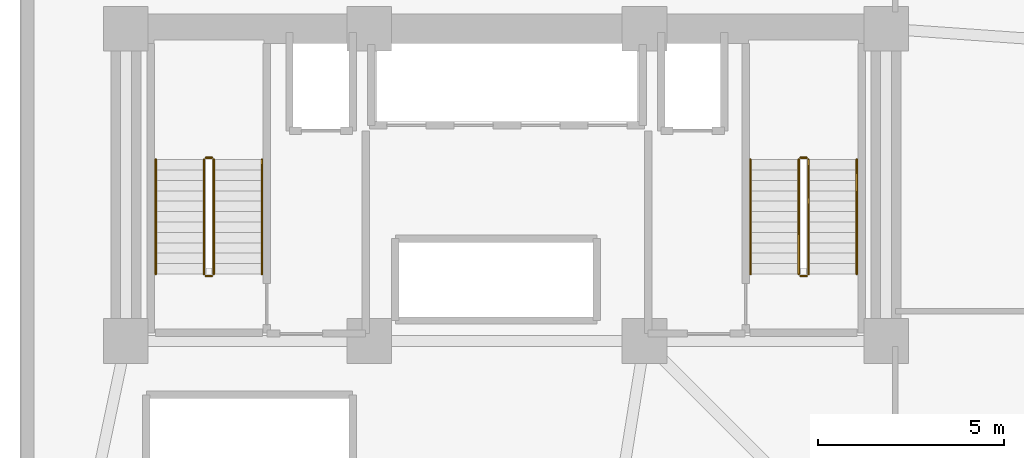
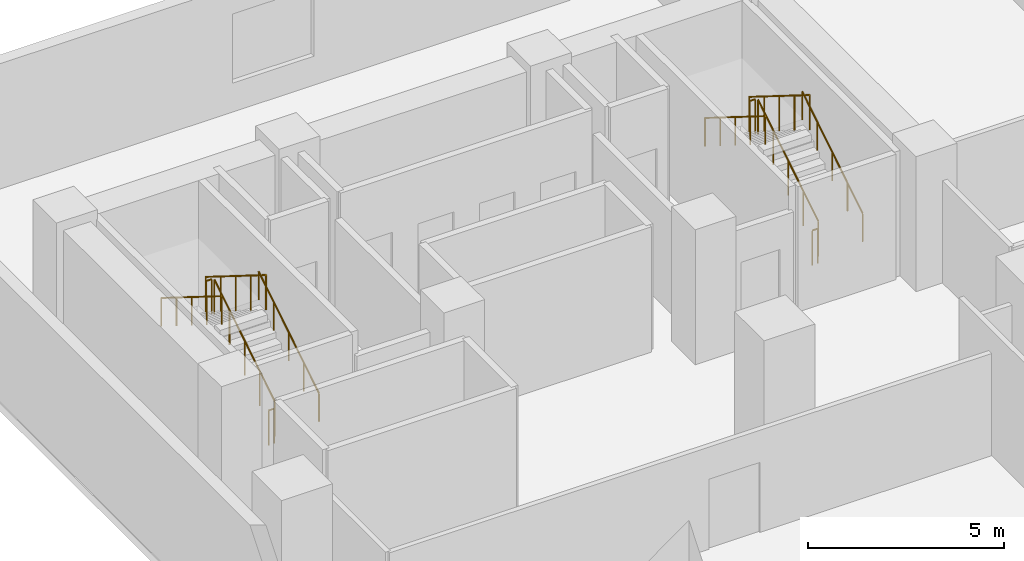
# One storey, part 7 of 8: 12 railings.
"""IFC4 building model written with IfcOpenShell, lengths in metres."""

from ifc_helpers import new_model, si_unit, direction, frame, origin, origin_2d, place, context, subcontext, project, spatial, circle, extrude, material, layer, layer_set, type_object, element, save


model = new_model("IFC4")

# Units and contexts
model_context = context("Model", 3, precision=1e-05, world=origin(), true_north=direction((0.0, 1.0)))
body_context = subcontext(model_context, "Body", "Model", "MODEL_VIEW")
ifc_project = project(units=[si_unit("LENGTHUNIT", "METRE"), si_unit("AREAUNIT", "SQUARE_METRE"), si_unit("VOLUMEUNIT", "CUBIC_METRE"), si_unit("PLANEANGLEUNIT", "RADIAN"), si_unit("MASSUNIT", "GRAM", prefix="KILO")], contexts=[model_context])

# Site, building, storey
site_placement = place(None, origin())
site = spatial("IfcSite", under=ifc_project, at=site_placement, CompositionType="ELEMENT")
building_placement = place(site_placement, origin())
building = spatial("IfcBuilding", under=site, at=building_placement, Name="Kuzgunbayir Cultural Tower", CompositionType="ELEMENT")
storey_placement = place(building_placement, frame((0.0, 0.0, 17.60009765625)))
storey = spatial("IfcBuildingStorey", under=building, at=storey_placement, Name="L04", CompositionType="ELEMENT", Elevation=17.60009765625)

# Railings
ifc_material_1 = material(Name="Brushed Stainless Steel", Category="steel")
ifc_layer_1 = layer(ifc_material_1, 0.050048828125)
ifc_layer_set_1 = layer_set([ifc_layer_1], Name="Brushed Stainless Steel")
railing_type_1 = type_object("IfcRailingType", Name="RLG-STAIR-HANDRAIL", PredefinedType="HANDRAIL", material=ifc_layer_set_1)
railing_1_placement = place(storey_placement, frame((10.110107421875, 35.60009765625, 0.1748046875)))
element("IfcRailing", 1, at=railing_1_placement, inside=storey, type_object=railing_type_1, Name="L04 ST-1 stair handrail 1", PredefinedType="HANDRAIL", context=body_context, shape_type="SweptSolid", body=[
    extrude(circle(Radius=0.02392578125, at=origin_2d()), frame((0.0, 0.0, 0.8759765625), z_axis=(0.0, 0.847979421464, 0.530029150871), x_axis=(-1.0, 0.0, 0.0)), (0.0, 0.0, 1.0), 3.632080078125),
    extrude(circle(Radius=0.02099609375, at=origin_2d()), origin(), (0.0, 0.0, 1.0), 0.851806640625),
    extrude(circle(Radius=0.02099609375, at=origin_2d()), frame((0.0, 0.77001953125, 0.481201171875)), (0.0, 0.0, 1.0), 0.851806640625),
    extrude(circle(Radius=0.02099609375, at=origin_2d()), frame((0.0, 1.5400390625, 0.96240234375)), (0.0, 0.0, 1.0), 0.851806640625),
    extrude(circle(Radius=0.02099609375, at=origin_2d()), frame((0.0, 2.309814453125, 1.44384765625)), (0.0, 0.0, 1.0), 0.851806640625),
    extrude(circle(Radius=0.02099609375, at=origin_2d()), frame((0.0, 3.079833984375, 1.925048828125)), (0.0, 0.0, 1.0), 0.851806640625),
])
railing_2_placement = place(storey_placement, frame((7.25, 38.679931640625, 2.27490234375)))
element("IfcRailing", 2, at=railing_2_placement, inside=storey, type_object=railing_type_1, Name="L04 ST-1 stair handrail 2", PredefinedType="HANDRAIL", context=body_context, shape_type="SweptSolid", body=[
    extrude(circle(Radius=0.02392578125, at=origin_2d()), frame((0.0, 0.0, 0.8759765625), z_axis=(0.0, -0.847979421464, 0.530029150871), x_axis=(1.0, 0.0, 0.0)), (0.0, 0.0, 1.0), 3.632080078125),
    extrude(circle(Radius=0.02099609375, at=origin_2d()), origin(), (0.0, 0.0, 1.0), 0.851806640625),
    extrude(circle(Radius=0.02099609375, at=origin_2d()), frame((0.0, -0.77001953125, 0.481201171875)), (0.0, 0.0, 1.0), 0.851806640625),
    extrude(circle(Radius=0.02099609375, at=origin_2d()), frame((0.0, -1.5400390625, 0.96240234375)), (0.0, 0.0, 1.0), 0.851806640625),
    extrude(circle(Radius=0.02099609375, at=origin_2d()), frame((0.0, -2.309814453125, 1.44384765625)), (0.0, 0.0, 1.0), 0.851806640625),
    extrude(circle(Radius=0.02099609375, at=origin_2d()), frame((0.0, -3.079833984375, 1.925048828125)), (0.0, 0.0, 1.0), 0.851806640625),
])
railing_3_placement = place(storey_placement, frame((26.110107421875, 35.60009765625, 0.1748046875)))
element("IfcRailing", 3, at=railing_3_placement, inside=storey, type_object=railing_type_1, Name="L04 ST-2 stair handrail 1", PredefinedType="HANDRAIL", context=body_context, shape_type="SweptSolid", body=[
    extrude(circle(Radius=0.02392578125, at=origin_2d()), frame((0.0, 0.0, 0.8759765625), z_axis=(0.0, 0.847979421464, 0.530029150871), x_axis=(-1.0, 0.0, 0.0)), (0.0, 0.0, 1.0), 3.632080078125),
    extrude(circle(Radius=0.02099609375, at=origin_2d()), origin(), (0.0, 0.0, 1.0), 0.851806640625),
    extrude(circle(Radius=0.02099609375, at=origin_2d()), frame((0.0, 0.77001953125, 0.481201171875)), (0.0, 0.0, 1.0), 0.851806640625),
    extrude(circle(Radius=0.02099609375, at=origin_2d()), frame((0.0, 1.5400390625, 0.96240234375)), (0.0, 0.0, 1.0), 0.851806640625),
    extrude(circle(Radius=0.02099609375, at=origin_2d()), frame((0.0, 2.309814453125, 1.44384765625)), (0.0, 0.0, 1.0), 0.851806640625),
    extrude(circle(Radius=0.02099609375, at=origin_2d()), frame((0.0, 3.079833984375, 1.925048828125)), (0.0, 0.0, 1.0), 0.851806640625),
])
railing_4_placement = place(storey_placement, frame((23.25, 38.679931640625, 2.27490234375)))
element("IfcRailing", 4, at=railing_4_placement, inside=storey, type_object=railing_type_1, Name="L04 ST-2 stair handrail 2", PredefinedType="HANDRAIL", context=body_context, shape_type="SweptSolid", body=[
    extrude(circle(Radius=0.02392578125, at=origin_2d()), frame((0.0, 0.0, 0.8759765625), z_axis=(0.0, -0.847979421464, 0.530029150871), x_axis=(1.0, 0.0, 0.0)), (0.0, 0.0, 1.0), 3.632080078125),
    extrude(circle(Radius=0.02099609375, at=origin_2d()), origin(), (0.0, 0.0, 1.0), 0.851806640625),
    extrude(circle(Radius=0.02099609375, at=origin_2d()), frame((0.0, -0.77001953125, 0.481201171875)), (0.0, 0.0, 1.0), 0.851806640625),
    extrude(circle(Radius=0.02099609375, at=origin_2d()), frame((0.0, -1.5400390625, 0.96240234375)), (0.0, 0.0, 1.0), 0.851806640625),
    extrude(circle(Radius=0.02099609375, at=origin_2d()), frame((0.0, -2.309814453125, 1.44384765625)), (0.0, 0.0, 1.0), 0.851806640625),
    extrude(circle(Radius=0.02099609375, at=origin_2d()), frame((0.0, -3.079833984375, 1.925048828125)), (0.0, 0.0, 1.0), 0.851806640625),
])
ifc_material_2 = material(Name="Painted Steel Balustrade", Category="steel")
ifc_layer_2 = layer(ifc_material_2, 0.06005859375)
ifc_layer_set_2 = layer_set([ifc_layer_2], Name="Painted Steel Balustrade")
railing_type_2 = type_object("IfcRailingType", Name="RLG-WELL-GUARD", PredefinedType="GUARDRAIL", material=ifc_layer_set_2)
railing_5_placement = place(storey_placement, frame((8.81005859375, 35.60009765625, 0.1748046875)))
element("IfcRailing", 5, at=railing_5_placement, inside=storey, type_object=railing_type_2, Name="L04 ST-1 stair guard 1", PredefinedType="GUARDRAIL", context=body_context, shape_type="SweptSolid", body=[
    extrude(circle(Radius=0.02392578125, at=origin_2d()), frame((0.0, 0.0, 1.076171875), z_axis=(0.0, 0.847979421464, 0.530029150871), x_axis=(-1.0, 0.0, 0.0)), (0.0, 0.0, 1.0), 3.632080078125),
    extrude(circle(Radius=0.02099609375, at=origin_2d()), origin(), (0.0, 0.0, 1.0), 1.052001953125),
    extrude(circle(Radius=0.02099609375, at=origin_2d()), frame((0.0, 0.77001953125, 0.481201171875)), (0.0, 0.0, 1.0), 1.052001953125),
    extrude(circle(Radius=0.02099609375, at=origin_2d()), frame((0.0, 1.5400390625, 0.96240234375)), (0.0, 0.0, 1.0), 1.052001953125),
    extrude(circle(Radius=0.02099609375, at=origin_2d()), frame((0.0, 2.309814453125, 1.44384765625)), (0.0, 0.0, 1.0), 1.052001953125),
    extrude(circle(Radius=0.02099609375, at=origin_2d()), frame((0.0, 3.079833984375, 1.925048828125)), (0.0, 0.0, 1.0), 1.052001953125),
])
railing_6_placement = place(storey_placement, frame((8.760009765625, 38.72998046875, 2.099853515625)))
element("IfcRailing", 6, at=railing_6_placement, inside=storey, type_object=railing_type_2, Name="L04 ST-1 stair guard 2", PredefinedType="GUARDRAIL", context=body_context, shape_type="SweptSolid", body=[
    extrude(circle(Radius=0.02392578125, at=origin_2d()), frame((0.0, 0.0, 1.076171875), z_axis=(-1.0, 0.0, 0.0), x_axis=(0.0, -1.0, 0.0)), (0.0, 0.0, 1.0), 0.159912109375),
    extrude(circle(Radius=0.02099609375, at=origin_2d()), origin(), (0.0, 0.0, 1.0), 1.052001953125),
    extrude(circle(Radius=0.02099609375, at=origin_2d()), frame((-0.159912109375, 0.0, 0.0)), (0.0, 0.0, 1.0), 1.052001953125),
])
railing_7_placement = place(storey_placement, frame((8.550048828125, 38.679931640625, 2.27490234375)))
element("IfcRailing", 7, at=railing_7_placement, inside=storey, type_object=railing_type_2, Name="L04 ST-1 stair guard 3", PredefinedType="GUARDRAIL", context=body_context, shape_type="SweptSolid", body=[
    extrude(circle(Radius=0.02392578125, at=origin_2d()), frame((0.0, 0.0, 1.076171875), z_axis=(0.0, -0.847979421464, 0.530029150871), x_axis=(1.0, 0.0, 0.0)), (0.0, 0.0, 1.0), 3.632080078125),
    extrude(circle(Radius=0.02099609375, at=origin_2d()), origin(), (0.0, 0.0, 1.0), 1.052001953125),
    extrude(circle(Radius=0.02099609375, at=origin_2d()), frame((0.0, -0.77001953125, 0.481201171875)), (0.0, 0.0, 1.0), 1.052001953125),
    extrude(circle(Radius=0.02099609375, at=origin_2d()), frame((0.0, -1.5400390625, 0.96240234375)), (0.0, 0.0, 1.0), 1.052001953125),
    extrude(circle(Radius=0.02099609375, at=origin_2d()), frame((0.0, -2.309814453125, 1.44384765625)), (0.0, 0.0, 1.0), 1.052001953125),
    extrude(circle(Radius=0.02099609375, at=origin_2d()), frame((0.0, -3.079833984375, 1.925048828125)), (0.0, 0.0, 1.0), 1.052001953125),
])
railing_8_placement = place(storey_placement, frame((8.760009765625, 35.550048828125, 0.0)))
element("IfcRailing", 8, at=railing_8_placement, inside=storey, type_object=railing_type_2, Name="L04 ST-1 stair guard 4", PredefinedType="GUARDRAIL", context=body_context, shape_type="SweptSolid", body=[
    extrude(circle(Radius=0.02392578125, at=origin_2d()), frame((0.0, 0.0, 1.076171875), z_axis=(-1.0, 0.0, 0.0), x_axis=(0.0, -1.0, 0.0)), (0.0, 0.0, 1.0), 0.159912109375),
    extrude(circle(Radius=0.02099609375, at=origin_2d()), origin(), (0.0, 0.0, 1.0), 1.052001953125),
    extrude(circle(Radius=0.02099609375, at=origin_2d()), frame((-0.159912109375, 0.0, 0.0)), (0.0, 0.0, 1.0), 1.052001953125),
])
railing_9_placement = place(storey_placement, frame((24.81005859375, 35.60009765625, 0.1748046875)))
element("IfcRailing", 9, at=railing_9_placement, inside=storey, type_object=railing_type_2, Name="L04 ST-2 stair guard 1", PredefinedType="GUARDRAIL", context=body_context, shape_type="SweptSolid", body=[
    extrude(circle(Radius=0.02392578125, at=origin_2d()), frame((0.0, 0.0, 1.076171875), z_axis=(0.0, 0.847979421464, 0.530029150871), x_axis=(-1.0, 0.0, 0.0)), (0.0, 0.0, 1.0), 3.632080078125),
    extrude(circle(Radius=0.02099609375, at=origin_2d()), origin(), (0.0, 0.0, 1.0), 1.052001953125),
    extrude(circle(Radius=0.02099609375, at=origin_2d()), frame((0.0, 0.77001953125, 0.481201171875)), (0.0, 0.0, 1.0), 1.052001953125),
    extrude(circle(Radius=0.02099609375, at=origin_2d()), frame((0.0, 1.5400390625, 0.96240234375)), (0.0, 0.0, 1.0), 1.052001953125),
    extrude(circle(Radius=0.02099609375, at=origin_2d()), frame((0.0, 2.309814453125, 1.44384765625)), (0.0, 0.0, 1.0), 1.052001953125),
    extrude(circle(Radius=0.02099609375, at=origin_2d()), frame((0.0, 3.079833984375, 1.925048828125)), (0.0, 0.0, 1.0), 1.052001953125),
])
railing_10_placement = place(storey_placement, frame((24.760009765625, 38.72998046875, 2.099853515625)))
element("IfcRailing", 10, at=railing_10_placement, inside=storey, type_object=railing_type_2, Name="L04 ST-2 stair guard 2", PredefinedType="GUARDRAIL", context=body_context, shape_type="SweptSolid", body=[
    extrude(circle(Radius=0.02392578125, at=origin_2d()), frame((0.0, 0.0, 1.076171875), z_axis=(-1.0, 0.0, 0.0), x_axis=(0.0, -1.0, 0.0)), (0.0, 0.0, 1.0), 0.159912109375),
    extrude(circle(Radius=0.02099609375, at=origin_2d()), origin(), (0.0, 0.0, 1.0), 1.052001953125),
    extrude(circle(Radius=0.02099609375, at=origin_2d()), frame((-0.159912109375, 0.0, 0.0)), (0.0, 0.0, 1.0), 1.052001953125),
])
railing_11_placement = place(storey_placement, frame((24.550048828125, 38.679931640625, 2.27490234375)))
element("IfcRailing", 11, at=railing_11_placement, inside=storey, type_object=railing_type_2, Name="L04 ST-2 stair guard 3", PredefinedType="GUARDRAIL", context=body_context, shape_type="SweptSolid", body=[
    extrude(circle(Radius=0.02392578125, at=origin_2d()), frame((0.0, 0.0, 1.076171875), z_axis=(0.0, -0.847979421464, 0.530029150871), x_axis=(1.0, 0.0, 0.0)), (0.0, 0.0, 1.0), 3.632080078125),
    extrude(circle(Radius=0.02099609375, at=origin_2d()), origin(), (0.0, 0.0, 1.0), 1.052001953125),
    extrude(circle(Radius=0.02099609375, at=origin_2d()), frame((0.0, -0.77001953125, 0.481201171875)), (0.0, 0.0, 1.0), 1.052001953125),
    extrude(circle(Radius=0.02099609375, at=origin_2d()), frame((0.0, -1.5400390625, 0.96240234375)), (0.0, 0.0, 1.0), 1.052001953125),
    extrude(circle(Radius=0.02099609375, at=origin_2d()), frame((0.0, -2.309814453125, 1.44384765625)), (0.0, 0.0, 1.0), 1.052001953125),
    extrude(circle(Radius=0.02099609375, at=origin_2d()), frame((0.0, -3.079833984375, 1.925048828125)), (0.0, 0.0, 1.0), 1.052001953125),
])
railing_12_placement = place(storey_placement, frame((24.760009765625, 35.550048828125, 0.0)))
element("IfcRailing", 12, at=railing_12_placement, inside=storey, type_object=railing_type_2, Name="L04 ST-2 stair guard 4", PredefinedType="GUARDRAIL", context=body_context, shape_type="SweptSolid", body=[
    extrude(circle(Radius=0.02392578125, at=origin_2d()), frame((0.0, 0.0, 1.076171875), z_axis=(-1.0, 0.0, 0.0), x_axis=(0.0, -1.0, 0.0)), (0.0, 0.0, 1.0), 0.159912109375),
    extrude(circle(Radius=0.02099609375, at=origin_2d()), origin(), (0.0, 0.0, 1.0), 1.052001953125),
    extrude(circle(Radius=0.02099609375, at=origin_2d()), frame((-0.159912109375, 0.0, 0.0)), (0.0, 0.0, 1.0), 1.052001953125),
])

save(model, "model.ifc")
